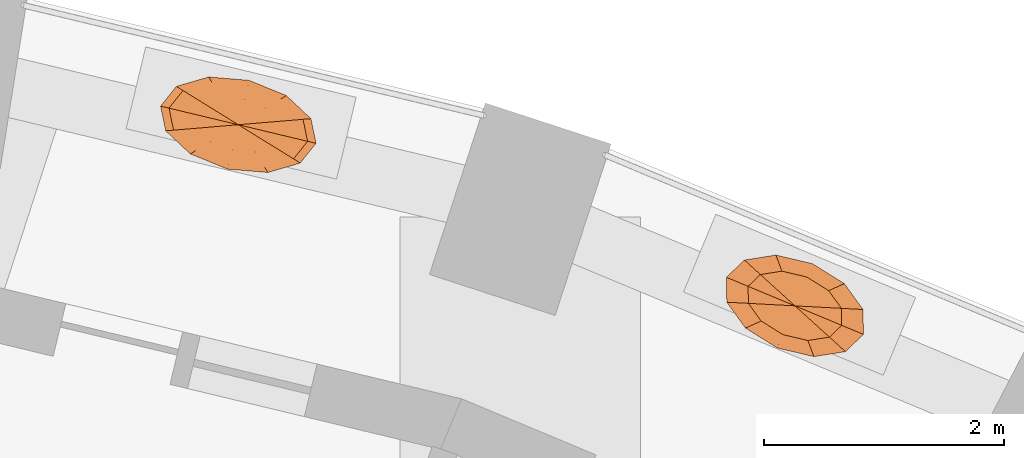
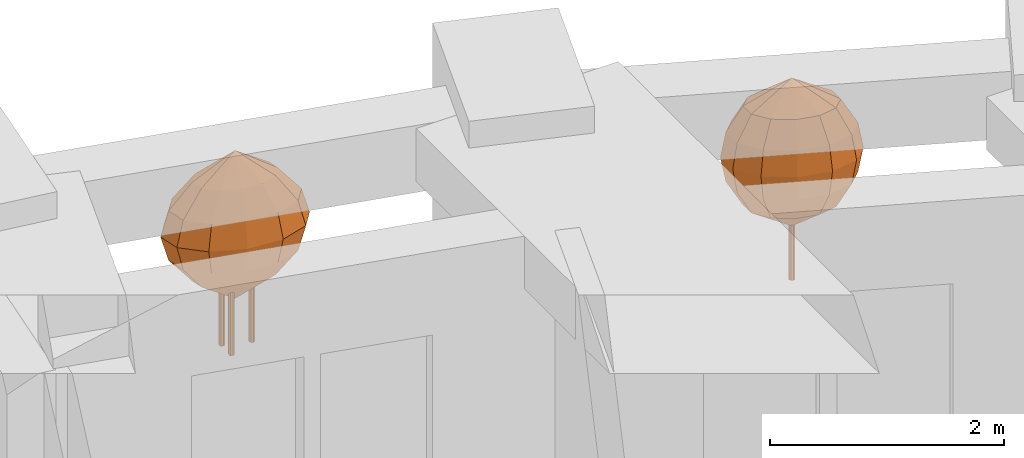
# One storey, part 14 of 14: 2 geographic elements.
"""IFC4 building model written with IfcOpenShell, lengths in metres."""

from ifc_helpers import new_model, si_unit, direction, frame, origin, place, context, subcontext, project, spatial, faceted_brep, material, constituent, constituent_set, type_object, element, save


model = new_model("IFC4")

# Units and contexts
model_context = context("Model", 3, precision=1e-05, world=origin(), true_north=direction((0.0, 1.0)))
body_context = subcontext(model_context, "Body", "Model", "MODEL_VIEW")
ifc_project = project(units=[si_unit("LENGTHUNIT", "METRE"), si_unit("AREAUNIT", "SQUARE_METRE"), si_unit("VOLUMEUNIT", "CUBIC_METRE"), si_unit("PLANEANGLEUNIT", "RADIAN"), si_unit("MASSUNIT", "GRAM", prefix="KILO")], contexts=[model_context])

# Site, building, storey
site_placement = place(None, origin())
site = spatial("IfcSite", under=ifc_project, at=site_placement, CompositionType="ELEMENT")
building_placement = place(site_placement, origin())
building = spatial("IfcBuilding", under=site, at=building_placement, Name="Taillehof Tower", CompositionType="ELEMENT")
storey_placement = place(building_placement, frame((0.0, 0.0, 25.0)))
storey = spatial("IfcBuildingStorey", under=building, at=storey_placement, Name="L05", CompositionType="ELEMENT", Elevation=25.0)

# Geographic elements
ifc_material_1 = material(Name="Tree bark", Category="timber")
ifc_constituent_1 = constituent(ifc_material_1, Name="Trunk", Category="timber")
ifc_material_2 = material(Name="Tree foliage")
ifc_constituent_2 = constituent(ifc_material_2, Name="Crown")
ifc_constituent_set_1 = constituent_set(constituents=[ifc_constituent_1, ifc_constituent_2], Name="Tree TR1 Columnar hornbeam")
geographic_element_type_1 = type_object("IfcGeographicElementType", Name="Tree TR1 Columnar hornbeam", PredefinedType="USERDEFINED", material=ifc_constituent_set_1)
geographic_element_1_placement = place(storey_placement, frame((11.947509765625, 22.923583984375, 0.75)))
element("IfcGeographicElement", 1, at=geographic_element_1_placement, inside=storey, type_object=geographic_element_type_1, Name="Tree TR1 Columnar hornbeam", ObjectType="TREE", PredefinedType="USERDEFINED", context=body_context, shape_type="Brep", body=[
    faceted_brep([(0.030029296875, 0.0, 0.0), (0.021240234375, 0.021240234375, 0.0), (0.021240234375, 0.021240234375, 1.092529296875), (0.030029296875, 0.0, 1.092529296875), (0.0, 0.030029296875, 0.0), (0.0, 0.030029296875, 1.092529296875), (-0.021240234375, 0.021240234375, 0.0), (-0.021240234375, 0.021240234375, 1.092529296875), (-0.030029296875, 0.0, 0.0), (-0.030029296875, 0.0, 1.092529296875), (-0.021240234375, -0.021240234375, 0.0), (-0.021240234375, -0.021240234375, 1.092529296875), (0.0, -0.030029296875, 0.0), (0.0, -0.030029296875, 1.092529296875), (0.021240234375, -0.021240234375, 0.0), (0.021240234375, -0.021240234375, 1.092529296875)], [[[0, 1, 2, 3]], [[1, 4, 5, 2]], [[4, 6, 7, 5]], [[6, 8, 9, 7]], [[8, 10, 11, 9]], [[10, 12, 13, 11]], [[12, 14, 15, 13]], [[14, 0, 3, 15]], [[14, 12, 10, 8, 6, 4, 1, 0]], [[3, 2, 5, 7, 9, 11, 13, 15]]]),
    faceted_brep([(0.0, 0.0, 0.550048828125), (-0.386962890625, 0.020751953125, 0.808349609375), (-0.389404296875, 0.162353515625, 0.808349609375), (-0.28125, -0.126220703125, 0.808349609375), (-0.099853515625, -0.239501953125, 0.808349609375), (0.108154296875, -0.28857421875, 0.808349609375), (0.287109375, -0.26025390625, 0.808349609375), (0.389404296875, -0.162353515625, 0.808349609375), (0.386962890625, -0.020751953125, 0.808349609375), (0.28125, 0.126220703125, 0.808349609375), (0.099853515625, 0.239501953125, 0.808349609375), (-0.108154296875, 0.28857421875, 0.808349609375), (-0.287109375, 0.26025390625, 0.808349609375), (-0.523681640625, 0.028076171875, 1.066650390625), (-0.526611328125, 0.219482421875, 1.066650390625), (-0.38037109375, -0.1708984375, 1.066650390625), (-0.135009765625, -0.323974609375, 1.066650390625), (0.146240234375, -0.390380859375, 1.066650390625), (0.388427734375, -0.35205078125, 1.066650390625), (0.526611328125, -0.219482421875, 1.066650390625), (0.523681640625, -0.028076171875, 1.066650390625), (0.38037109375, 0.1708984375, 1.066650390625), (0.135009765625, 0.323974609375, 1.066650390625), (-0.146240234375, 0.390380859375, 1.066650390625), (-0.388427734375, 0.35205078125, 1.066650390625), (-0.566650390625, 0.0302734375, 1.324951171875), (-0.570068359375, 0.237548828125, 1.324951171875), (-0.41162109375, -0.18505859375, 1.324951171875), (-0.146240234375, -0.350830078125, 1.324951171875), (0.158447265625, -0.422607421875, 1.324951171875), (0.42041015625, -0.381103515625, 1.324951171875), (0.570068359375, -0.237548828125, 1.324951171875), (0.566650390625, -0.0302734375, 1.324951171875), (0.41162109375, 0.18505859375, 1.324951171875), (0.146240234375, 0.350830078125, 1.324951171875), (-0.158447265625, 0.422607421875, 1.324951171875), (-0.42041015625, 0.381103515625, 1.324951171875), (-0.523681640625, 0.028076171875, 1.583251953125), (-0.526611328125, 0.219482421875, 1.583251953125), (-0.38037109375, -0.1708984375, 1.583251953125), (-0.135009765625, -0.323974609375, 1.583251953125), (0.146240234375, -0.390380859375, 1.583251953125), (0.388427734375, -0.35205078125, 1.583251953125), (0.526611328125, -0.219482421875, 1.583251953125), (0.523681640625, -0.028076171875, 1.583251953125), (0.38037109375, 0.1708984375, 1.583251953125), (0.135009765625, 0.323974609375, 1.583251953125), (-0.146240234375, 0.390380859375, 1.583251953125), (-0.388427734375, 0.35205078125, 1.583251953125), (-0.386962890625, 0.020751953125, 1.841552734375), (-0.389404296875, 0.162353515625, 1.841552734375), (-0.28125, -0.126220703125, 1.841552734375), (-0.099853515625, -0.239501953125, 1.841552734375), (0.108154296875, -0.28857421875, 1.841552734375), (0.287109375, -0.26025390625, 1.841552734375), (0.389404296875, -0.162353515625, 1.841552734375), (0.386962890625, -0.020751953125, 1.841552734375), (0.28125, 0.126220703125, 1.841552734375), (0.099853515625, 0.239501953125, 1.841552734375), (-0.108154296875, 0.28857421875, 1.841552734375), (-0.287109375, 0.26025390625, 1.841552734375), (0.0, 0.0, 2.10009765625)], [[[0, 1, 2]], [[0, 3, 1]], [[0, 4, 3]], [[0, 5, 4]], [[0, 6, 5]], [[0, 7, 6]], [[0, 8, 7]], [[0, 9, 8]], [[0, 10, 9]], [[0, 11, 10]], [[0, 12, 11]], [[0, 2, 12]], [[2, 1, 13, 14]], [[1, 3, 15, 13]], [[3, 4, 16, 15]], [[4, 5, 17, 16]], [[5, 6, 18, 17]], [[6, 7, 19, 18]], [[7, 8, 20, 19]], [[8, 9, 21, 20]], [[9, 10, 22, 21]], [[10, 11, 23, 22]], [[11, 12, 24, 23]], [[12, 2, 14, 24]], [[14, 13, 25, 26]], [[13, 15, 27, 25]], [[15, 16, 28, 27]], [[16, 17, 29, 28]], [[17, 18, 30, 29]], [[18, 19, 31, 30]], [[19, 20, 32, 31]], [[20, 21, 33, 32]], [[21, 22, 34, 33]], [[22, 23, 35, 34]], [[23, 24, 36, 35]], [[24, 14, 26, 36]], [[26, 25, 37, 38]], [[25, 27, 39, 37]], [[27, 28, 40, 39]], [[28, 29, 41, 40]], [[29, 30, 42, 41]], [[30, 31, 43, 42]], [[31, 32, 44, 43]], [[32, 33, 45, 44]], [[33, 34, 46, 45]], [[34, 35, 47, 46]], [[35, 36, 48, 47]], [[36, 26, 38, 48]], [[38, 37, 49, 50]], [[37, 39, 51, 49]], [[39, 40, 52, 51]], [[40, 41, 53, 52]], [[41, 42, 54, 53]], [[42, 43, 55, 54]], [[43, 44, 56, 55]], [[44, 45, 57, 56]], [[45, 46, 58, 57]], [[46, 47, 59, 58]], [[47, 48, 60, 59]], [[48, 38, 50, 60]], [[50, 49, 61]], [[49, 51, 61]], [[51, 52, 61]], [[52, 53, 61]], [[53, 54, 61]], [[54, 55, 61]], [[55, 56, 61]], [[56, 57, 61]], [[57, 58, 61]], [[58, 59, 61]], [[59, 60, 61]], [[60, 50, 61]]]),
])
ifc_material_3 = material(Name="Tree bark", Category="timber")
ifc_constituent_3 = constituent(ifc_material_3, Name="Trunk", Category="timber")
ifc_material_4 = material(Name="Tree foliage")
ifc_constituent_4 = constituent(ifc_material_4, Name="Crown")
ifc_constituent_set_2 = constituent_set(constituents=[ifc_constituent_3, ifc_constituent_4], Name="Tree TR3 Multi-stem serviceberry")
geographic_element_type_2 = type_object("IfcGeographicElementType", Name="Tree TR3 Multi-stem serviceberry", PredefinedType="USERDEFINED", material=ifc_constituent_set_2)
geographic_element_2_placement = place(storey_placement, frame((7.31640625, 24.430419921875, 0.75)))
element("IfcGeographicElement", 2, at=geographic_element_2_placement, inside=storey, type_object=geographic_element_type_2, Name="Tree TR3 Multi-stem serviceberry", ObjectType="TREE", PredefinedType="USERDEFINED", context=body_context, shape_type="Brep", body=[
    faceted_brep([(0.195068359375, 0.0, 0.0), (0.186767578125, 0.0205078125, 0.0), (0.186767578125, 0.0205078125, 1.04248046875), (0.195068359375, 0.0, 1.04248046875), (0.166259765625, 0.02880859375, 0.0), (0.166259765625, 0.02880859375, 1.04248046875), (0.145751953125, 0.0205078125, 0.0), (0.145751953125, 0.0205078125, 1.04248046875), (0.137451171875, 0.0, 0.0), (0.137451171875, 0.0, 1.04248046875), (0.145751953125, -0.0205078125, 0.0), (0.145751953125, -0.0205078125, 1.04248046875), (0.166259765625, -0.02880859375, 0.0), (0.166259765625, -0.02880859375, 1.04248046875), (0.186767578125, -0.0205078125, 0.0), (0.186767578125, -0.0205078125, 1.04248046875)], [[[0, 1, 2, 3]], [[1, 4, 5, 2]], [[4, 6, 7, 5]], [[6, 8, 9, 7]], [[8, 10, 11, 9]], [[10, 12, 13, 11]], [[12, 14, 15, 13]], [[14, 0, 3, 15]], [[14, 12, 10, 8, 6, 4, 1, 0]], [[3, 2, 5, 7, 9, 11, 13, 15]]]),
    faceted_brep([(-0.05419921875, 0.082275390625, 0.0), (-0.062744140625, 0.102783203125, 0.0), (-0.062744140625, 0.102783203125, 1.04248046875), (-0.05419921875, 0.082275390625, 1.04248046875), (-0.0830078125, 0.111083984375, 0.0), (-0.0830078125, 0.111083984375, 1.04248046875), (-0.103515625, 0.102783203125, 0.0), (-0.103515625, 0.102783203125, 1.04248046875), (-0.112060546875, 0.082275390625, 0.0), (-0.112060546875, 0.082275390625, 1.04248046875), (-0.103515625, 0.061767578125, 0.0), (-0.103515625, 0.061767578125, 1.04248046875), (-0.0830078125, 0.053466796875, 0.0), (-0.0830078125, 0.053466796875, 1.04248046875), (-0.062744140625, 0.061767578125, 0.0), (-0.062744140625, 0.061767578125, 1.04248046875)], [[[0, 1, 2, 3]], [[1, 4, 5, 2]], [[4, 6, 7, 5]], [[6, 8, 9, 7]], [[8, 10, 11, 9]], [[10, 12, 13, 11]], [[12, 14, 15, 13]], [[14, 0, 3, 15]], [[14, 12, 10, 8, 6, 4, 1, 0]], [[3, 2, 5, 7, 9, 11, 13, 15]]]),
    faceted_brep([(-0.05419921875, -0.082275390625, 0.0), (-0.062744140625, -0.061767578125, 0.0), (-0.062744140625, -0.061767578125, 1.04248046875), (-0.05419921875, -0.082275390625, 1.04248046875), (-0.0830078125, -0.053466796875, 0.0), (-0.0830078125, -0.053466796875, 1.04248046875), (-0.103515625, -0.061767578125, 0.0), (-0.103515625, -0.061767578125, 1.04248046875), (-0.112060546875, -0.082275390625, 0.0), (-0.112060546875, -0.082275390625, 1.04248046875), (-0.103515625, -0.102783203125, 0.0), (-0.103515625, -0.102783203125, 1.04248046875), (-0.0830078125, -0.111083984375, 0.0), (-0.0830078125, -0.111083984375, 1.04248046875), (-0.062744140625, -0.102783203125, 0.0), (-0.062744140625, -0.102783203125, 1.04248046875)], [[[0, 1, 2, 3]], [[1, 4, 5, 2]], [[4, 6, 7, 5]], [[6, 8, 9, 7]], [[8, 10, 11, 9]], [[10, 12, 13, 11]], [[12, 14, 15, 13]], [[14, 0, 3, 15]], [[14, 12, 10, 8, 6, 4, 1, 0]], [[3, 2, 5, 7, 9, 11, 13, 15]]]),
    faceted_brep([(0.0, 0.0, 0.5), (-0.34716796875, -0.029052734375, 0.75830078125), (-0.371337890625, 0.0888671875, 0.75830078125), (-0.229736328125, -0.139404296875, 0.75830078125), (-0.05078125, -0.212158203125, 0.75830078125), (0.1416015625, -0.228271484375, 0.75830078125), (0.296142578125, -0.18310546875, 0.75830078125), (0.371337890625, -0.0888671875, 0.75830078125), (0.34716796875, 0.029052734375, 0.75830078125), (0.229736328125, 0.139404296875, 0.75830078125), (0.05078125, 0.212158203125, 0.75830078125), (-0.1416015625, 0.228271484375, 0.75830078125), (-0.296142578125, 0.18310546875, 0.75830078125), (-0.53857421875, -0.045166015625, 1.0166015625), (-0.576416015625, 0.13818359375, 1.0166015625), (-0.3564453125, -0.21630859375, 1.0166015625), (-0.078857421875, -0.329345703125, 1.0166015625), (0.219970703125, -0.354248046875, 1.0166015625), (0.459716796875, -0.2841796875, 1.0166015625), (0.576416015625, -0.13818359375, 1.0166015625), (0.53857421875, 0.045166015625, 1.0166015625), (0.3564453125, 0.21630859375, 1.0166015625), (0.078857421875, 0.329345703125, 1.0166015625), (-0.219970703125, 0.354248046875, 1.0166015625), (-0.459716796875, 0.2841796875, 1.0166015625), (-0.604248046875, -0.050537109375, 1.27490234375), (-0.646728515625, 0.15478515625, 1.27490234375), (-0.39990234375, -0.24267578125, 1.27490234375), (-0.088623046875, -0.36962890625, 1.27490234375), (0.24658203125, -0.3974609375, 1.27490234375), (0.515869140625, -0.31884765625, 1.27490234375), (0.646728515625, -0.15478515625, 1.27490234375), (0.604248046875, 0.050537109375, 1.27490234375), (0.39990234375, 0.24267578125, 1.27490234375), (0.088623046875, 0.36962890625, 1.27490234375), (-0.24658203125, 0.3974609375, 1.27490234375), (-0.515869140625, 0.31884765625, 1.27490234375), (-0.53857421875, -0.045166015625, 1.533447265625), (-0.576416015625, 0.13818359375, 1.533447265625), (-0.3564453125, -0.21630859375, 1.533447265625), (-0.078857421875, -0.329345703125, 1.533447265625), (0.219970703125, -0.354248046875, 1.533447265625), (0.459716796875, -0.2841796875, 1.533447265625), (0.576416015625, -0.13818359375, 1.533447265625), (0.53857421875, 0.045166015625, 1.533447265625), (0.3564453125, 0.21630859375, 1.533447265625), (0.078857421875, 0.329345703125, 1.533447265625), (-0.219970703125, 0.354248046875, 1.533447265625), (-0.459716796875, 0.2841796875, 1.533447265625), (-0.34716796875, -0.029052734375, 1.791748046875), (-0.371337890625, 0.0888671875, 1.791748046875), (-0.229736328125, -0.139404296875, 1.791748046875), (-0.05078125, -0.212158203125, 1.791748046875), (0.1416015625, -0.228271484375, 1.791748046875), (0.296142578125, -0.18310546875, 1.791748046875), (0.371337890625, -0.0888671875, 1.791748046875), (0.34716796875, 0.029052734375, 1.791748046875), (0.229736328125, 0.139404296875, 1.791748046875), (0.05078125, 0.212158203125, 1.791748046875), (-0.1416015625, 0.228271484375, 1.791748046875), (-0.296142578125, 0.18310546875, 1.791748046875), (0.0, 0.0, 2.050048828125)], [[[0, 1, 2]], [[0, 3, 1]], [[0, 4, 3]], [[0, 5, 4]], [[0, 6, 5]], [[0, 7, 6]], [[0, 8, 7]], [[0, 9, 8]], [[0, 10, 9]], [[0, 11, 10]], [[0, 12, 11]], [[0, 2, 12]], [[2, 1, 13, 14]], [[1, 3, 15, 13]], [[3, 4, 16, 15]], [[4, 5, 17, 16]], [[5, 6, 18, 17]], [[6, 7, 19, 18]], [[7, 8, 20, 19]], [[8, 9, 21, 20]], [[9, 10, 22, 21]], [[10, 11, 23, 22]], [[11, 12, 24, 23]], [[12, 2, 14, 24]], [[14, 13, 25, 26]], [[13, 15, 27, 25]], [[15, 16, 28, 27]], [[16, 17, 29, 28]], [[17, 18, 30, 29]], [[18, 19, 31, 30]], [[19, 20, 32, 31]], [[20, 21, 33, 32]], [[21, 22, 34, 33]], [[22, 23, 35, 34]], [[23, 24, 36, 35]], [[24, 14, 26, 36]], [[26, 25, 37, 38]], [[25, 27, 39, 37]], [[27, 28, 40, 39]], [[28, 29, 41, 40]], [[29, 30, 42, 41]], [[30, 31, 43, 42]], [[31, 32, 44, 43]], [[32, 33, 45, 44]], [[33, 34, 46, 45]], [[34, 35, 47, 46]], [[35, 36, 48, 47]], [[36, 26, 38, 48]], [[38, 37, 49, 50]], [[37, 39, 51, 49]], [[39, 40, 52, 51]], [[40, 41, 53, 52]], [[41, 42, 54, 53]], [[42, 43, 55, 54]], [[43, 44, 56, 55]], [[44, 45, 57, 56]], [[45, 46, 58, 57]], [[46, 47, 59, 58]], [[47, 48, 60, 59]], [[48, 38, 50, 60]], [[50, 49, 61]], [[49, 51, 61]], [[51, 52, 61]], [[52, 53, 61]], [[53, 54, 61]], [[54, 55, 61]], [[55, 56, 61]], [[56, 57, 61]], [[57, 58, 61]], [[58, 59, 61]], [[59, 60, 61]], [[60, 50, 61]]]),
])

save(model, "model.ifc")
